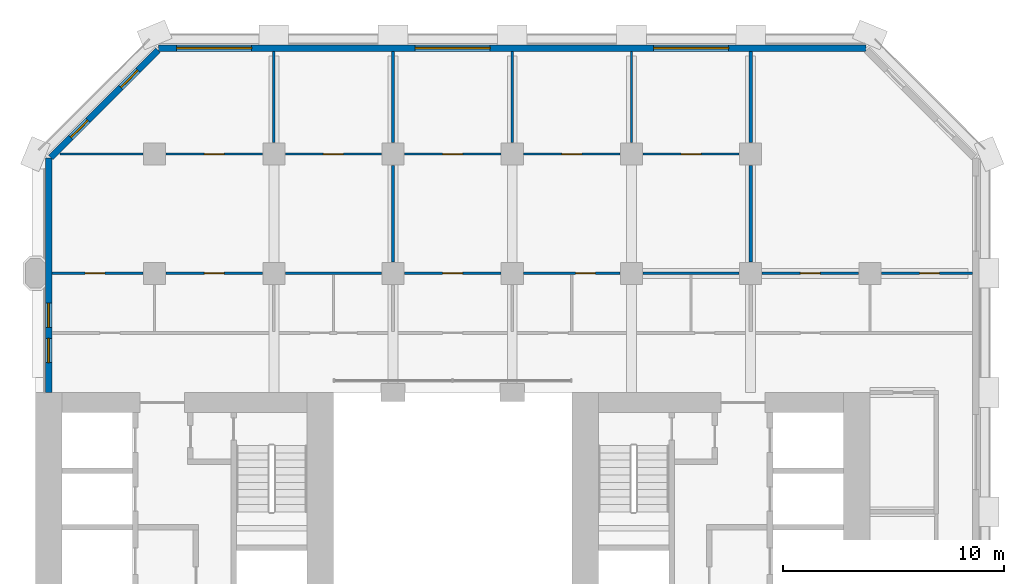
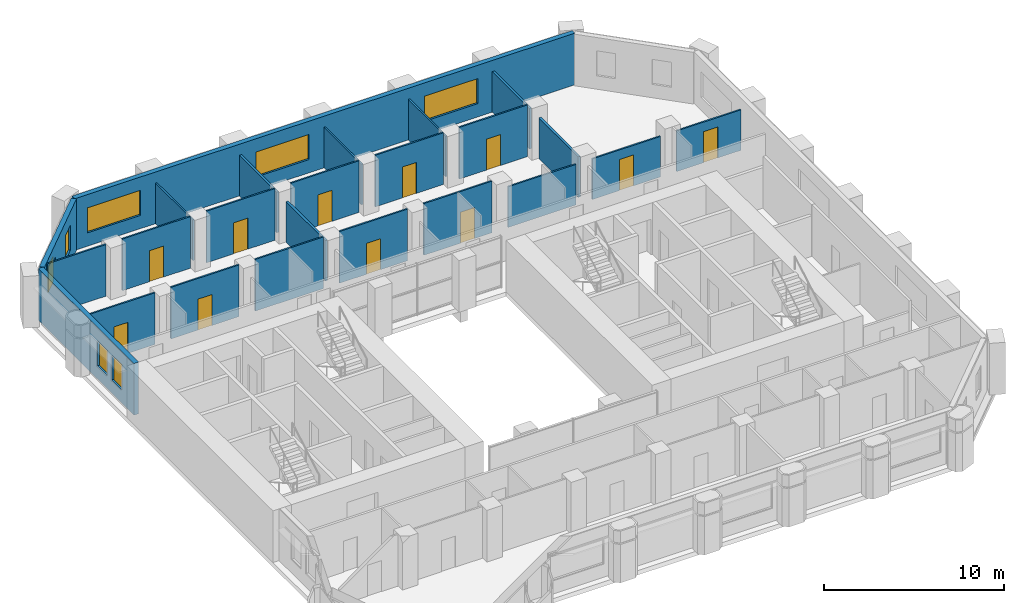
# One storey, part 7 of 11: 24 walls, 11 doors, 7 windows, 18 openings.
"""IFC4 building model written with IfcOpenShell, lengths in metres."""

from ifc_helpers import new_model, si_unit, direction, frame, frame_2d, origin, place, context, subcontext, project, spatial, rectangle, extrude, material, layer, layer_set, type_object, element, fill, save


model = new_model("IFC4")

# Units and contexts
model_context = context("Model", 3, precision=1e-05, world=origin(), true_north=direction((0.0, 1.0)))
body_context = subcontext(model_context, "Body", "Model", "MODEL_VIEW")
ifc_project = project(units=[si_unit("LENGTHUNIT", "METRE"), si_unit("AREAUNIT", "SQUARE_METRE"), si_unit("VOLUMEUNIT", "CUBIC_METRE"), si_unit("PLANEANGLEUNIT", "RADIAN"), si_unit("MASSUNIT", "GRAM", prefix="KILO")], contexts=[model_context])

# Site, building, storey
site_placement = place(None, origin())
site = spatial("IfcSite", under=ifc_project, at=site_placement, CompositionType="ELEMENT")
building_placement = place(site_placement, origin())
building = spatial("IfcBuilding", under=site, at=building_placement, Name="Tabaq Tower and Sports Hall", CompositionType="ELEMENT")
storey_placement = place(building_placement, frame((0.0, 0.0, 76.39990234375)))
storey = spatial("IfcBuildingStorey", under=building, at=storey_placement, Name="L17", CompositionType="ELEMENT", Elevation=76.39990234375)

# Wall, opening, door
ifc_material_1 = material(Name="Gypsum board on steel studs", Category="steel")
ifc_layer_1 = layer(ifc_material_1, 0.10009765625)
ifc_layer_set_1 = layer_set([ifc_layer_1], Name="Partition 100 Gypsum board")
wall_type_1 = type_object("IfcWallType", Name="Partition 100 Gypsum board", PredefinedType="PARTITIONING", material=ifc_layer_set_1)
wall_1_placement = place(storey_placement, frame((10.280029296875, 37.800048828125, 0.0), z_axis=(0.0, 0.0, 1.0), x_axis=(-1.0, 0.0, 0.0)))
wall_1 = element("IfcWall", 1, at=wall_1_placement, inside=storey, type_object=wall_type_1, Name="Partition wall L17", PredefinedType="PARTITIONING", context=body_context, shape_type="SweptSolid", body=[
    extrude(rectangle(XDim=4.129150390625, YDim=0.10009765625, at=frame_2d((2.064453125, 0.0))), origin(), (0.0, 0.0, 1.0), 3.5),
])
opening_1_placement = place(wall_1_placement, frame((1.72998046875, 0.0, 0.0)))
opening_1 = element("IfcOpeningElement", 2, at=opening_1_placement, cuts=wall_1, Name="Opening L17-029", PredefinedType="OPENING", context=body_context, shape_type="SweptSolid", body=[
    extrude(rectangle(XDim=0.89990234375, YDim=2.10009765625, at=frame_2d((0.449951171875, 1.050048828125))), frame((0.0, 0.050048828125, 0.0), z_axis=(0.0, -1.0, 0.0), x_axis=(1.0, 0.0, 0.0)), (0.0, 0.0, 1.0), 0.10009765625),
])
ifc_material_2 = material(Name="Timber leaf in steel frame", Category="steel")
door_type_1 = type_object("IfcDoorType", Name="Internal door 900 right hand", OperationType="SINGLE_SWING_RIGHT", PredefinedType="DOOR", material=ifc_material_2)
door_1_placement = place(opening_1_placement, origin())
door_1 = element("IfcDoor", 3, at=door_1_placement, inside=storey, type_object=door_type_1, Name="Internal door L17-029", OperationType="SINGLE_SWING_RIGHT", OverallHeight=2.10009765625, OverallWidth=0.89990234375, PredefinedType="DOOR", context=body_context, shape_type="SweptSolid", body=[
    extrude(rectangle(XDim=0.89990234375, YDim=2.10009765625, at=frame_2d((0.449951171875, 1.050048828125))), frame((0.0, 0.02490234375, 0.0), z_axis=(0.0, -1.0, 0.0), x_axis=(1.0, 0.0, 0.0)), (0.0, 0.0, 1.0), 0.050048828125),
])
fill(opening_1, door_1)

wall_2_placement = place(storey_placement, frame((15.679931640625, 37.800048828125, 0.0), z_axis=(0.0, 0.0, 1.0), x_axis=(-1.0, 0.0, 0.0)))
wall_2 = element("IfcWall", 4, at=wall_2_placement, inside=storey, type_object=wall_type_1, Name="Partition wall L17", PredefinedType="PARTITIONING", context=body_context, shape_type="SweptSolid", body=[
    extrude(rectangle(XDim=4.35986328125, YDim=0.10009765625, at=frame_2d((2.179931640625, 0.0))), origin(), (0.0, 0.0, 1.0), 3.5),
])
opening_2_placement = place(wall_2_placement, frame((1.72998046875, 0.0, 0.0)))
opening_2 = element("IfcOpeningElement", 5, at=opening_2_placement, cuts=wall_2, Name="Opening L17-012", PredefinedType="OPENING", context=body_context, shape_type="SweptSolid", body=[
    extrude(rectangle(XDim=0.89990234375, YDim=2.10009765625, at=frame_2d((0.449951171875, 1.050048828125))), frame((0.0, 0.050048828125, 0.0), z_axis=(0.0, -1.0, 0.0), x_axis=(1.0, 0.0, 0.0)), (0.0, 0.0, 1.0), 0.10009765625),
])
ifc_material_3 = material(Name="Timber leaf in steel frame", Category="steel")
door_type_2 = type_object("IfcDoorType", Name="Internal door 900 left hand", OperationType="SINGLE_SWING_LEFT", PredefinedType="DOOR", material=ifc_material_3)
door_2_placement = place(opening_2_placement, origin())
door_2 = element("IfcDoor", 6, at=door_2_placement, inside=storey, type_object=door_type_2, Name="Internal door L17-012", OperationType="SINGLE_SWING_LEFT", OverallHeight=2.10009765625, OverallWidth=0.89990234375, PredefinedType="DOOR", context=body_context, shape_type="SweptSolid", body=[
    extrude(rectangle(XDim=0.89990234375, YDim=2.10009765625, at=frame_2d((0.449951171875, 1.050048828125))), frame((0.0, 0.02490234375, 0.0), z_axis=(0.0, -1.0, 0.0), x_axis=(1.0, 0.0, 0.0)), (0.0, 0.0, 1.0), 0.050048828125),
])
fill(opening_2, door_2)

# Wall
wall_3_placement = place(storey_placement, frame((21.080078125, 37.800048828125, 0.0), z_axis=(0.0, 0.0, 1.0), x_axis=(-1.0, 0.0, 0.0)))
element("IfcWall", 7, at=wall_3_placement, inside=storey, type_object=wall_type_1, Name="Partition wall L17", PredefinedType="PARTITIONING", context=body_context, shape_type="SweptSolid", body=[
    extrude(rectangle(XDim=4.360107421875, YDim=0.10009765625, at=frame_2d((2.18017578125, 0.0))), origin(), (0.0, 0.0, 1.0), 3.5),
])

# Wall, opening, door
wall_4_placement = place(storey_placement, frame((21.080078125, 43.199951171875, 0.0), z_axis=(0.0, 0.0, 1.0), x_axis=(-1.0, 0.0, 0.0)))
wall_4 = element("IfcWall", 8, at=wall_4_placement, inside=storey, type_object=wall_type_1, Name="Partition wall L17", PredefinedType="PARTITIONING", context=body_context, shape_type="SweptSolid", body=[
    extrude(rectangle(XDim=4.360107421875, YDim=0.10009765625, at=frame_2d((2.18017578125, 0.0))), origin(), (0.0, 0.0, 1.0), 3.5),
])
opening_3_placement = place(wall_4_placement, frame((1.72998046875, 0.0, 0.0)))
opening_3 = element("IfcOpeningElement", 9, at=opening_3_placement, cuts=wall_4, Name="Opening L17-014", PredefinedType="OPENING", context=body_context, shape_type="SweptSolid", body=[
    extrude(rectangle(XDim=0.89990234375, YDim=2.10009765625, at=frame_2d((0.449951171875, 1.050048828125))), frame((0.0, 0.050048828125, 0.0), z_axis=(0.0, -1.0, 0.0), x_axis=(1.0, 0.0, 0.0)), (0.0, 0.0, 1.0), 0.10009765625),
])
door_3_placement = place(opening_3_placement, origin())
door_3 = element("IfcDoor", 10, at=door_3_placement, inside=storey, type_object=door_type_2, Name="Internal door L17-014", OperationType="SINGLE_SWING_LEFT", OverallHeight=2.10009765625, OverallWidth=0.89990234375, PredefinedType="DOOR", context=body_context, shape_type="SweptSolid", body=[
    extrude(rectangle(XDim=0.89990234375, YDim=2.10009765625, at=frame_2d((0.449951171875, 1.050048828125))), frame((0.0, 0.02490234375, 0.0), z_axis=(0.0, -1.0, 0.0), x_axis=(1.0, 0.0, 0.0)), (0.0, 0.0, 1.0), 0.050048828125),
])
fill(opening_3, door_3)

wall_5_placement = place(storey_placement, frame((15.679931640625, 43.199951171875, 0.0), z_axis=(0.0, 0.0, 1.0), x_axis=(-1.0, 0.0, 0.0)))
wall_5 = element("IfcWall", 11, at=wall_5_placement, inside=storey, type_object=wall_type_1, Name="Partition wall L17", PredefinedType="PARTITIONING", context=body_context, shape_type="SweptSolid", body=[
    extrude(rectangle(XDim=4.35986328125, YDim=0.10009765625, at=frame_2d((2.179931640625, 0.0))), origin(), (0.0, 0.0, 1.0), 3.5),
])
opening_4_placement = place(wall_5_placement, frame((1.72998046875, 0.0, 0.0)))
opening_4 = element("IfcOpeningElement", 12, at=opening_4_placement, cuts=wall_5, Name="Opening L17-013", PredefinedType="OPENING", context=body_context, shape_type="SweptSolid", body=[
    extrude(rectangle(XDim=0.89990234375, YDim=2.10009765625, at=frame_2d((0.449951171875, 1.050048828125))), frame((0.0, 0.050048828125, 0.0), z_axis=(0.0, -1.0, 0.0), x_axis=(1.0, 0.0, 0.0)), (0.0, 0.0, 1.0), 0.10009765625),
])
door_4_placement = place(opening_4_placement, origin())
door_4 = element("IfcDoor", 13, at=door_4_placement, inside=storey, type_object=door_type_2, Name="Internal door L17-013", OperationType="SINGLE_SWING_LEFT", OverallHeight=2.10009765625, OverallWidth=0.89990234375, PredefinedType="DOOR", context=body_context, shape_type="SweptSolid", body=[
    extrude(rectangle(XDim=0.89990234375, YDim=2.10009765625, at=frame_2d((0.449951171875, 1.050048828125))), frame((0.0, 0.02490234375, 0.0), z_axis=(0.0, -1.0, 0.0), x_axis=(1.0, 0.0, 0.0)), (0.0, 0.0, 1.0), 0.050048828125),
])
fill(opening_4, door_4)

# Walls
wall_6_placement = place(storey_placement, frame((10.280029296875, 43.199951171875, 0.0), z_axis=(0.0, 0.0, 1.0), x_axis=(-1.0, 0.0, 0.0)))
element("IfcWall", 14, at=wall_6_placement, inside=storey, type_object=wall_type_1, Name="Partition wall L17", PredefinedType="PARTITIONING", context=body_context, shape_type="SweptSolid", body=[
    extrude(rectangle(XDim=3.767822265625, YDim=0.10009765625, at=frame_2d((1.8837890625, 0.0))), origin(), (0.0, 0.0, 1.0), 3.5),
])
wall_7_placement = place(storey_placement, frame((16.199951171875, 43.719970703125, 0.0), z_axis=(0.0, 0.0, 1.0), x_axis=(0.0, 1.0, 0.0)))
element("IfcWall", 15, at=wall_7_placement, inside=storey, type_object=wall_type_1, Name="Partition wall L17", PredefinedType="PARTITIONING", context=body_context, shape_type="SweptSolid", body=[
    extrude(rectangle(XDim=4.129150390625, YDim=0.10009765625, at=frame_2d((2.064453125, 0.0))), origin(), (0.0, 0.0, 1.0), 2.75),
])

# Wall, opening, door
wall_8_placement = place(storey_placement, frame((26.47998046875, 37.800048828125, 0.0), z_axis=(0.0, 0.0, 1.0), x_axis=(-1.0, 0.0, 0.0)))
wall_8 = element("IfcWall", 16, at=wall_8_placement, inside=storey, type_object=wall_type_1, Name="Partition wall L17", PredefinedType="PARTITIONING", context=body_context, shape_type="SweptSolid", body=[
    extrude(rectangle(XDim=4.35986328125, YDim=0.10009765625, at=frame_2d((2.179931640625, 0.0))), origin(), (0.0, 0.0, 1.0), 3.5),
])
opening_5_placement = place(wall_8_placement, frame((1.72998046875, 0.0, 0.0)))
opening_5 = element("IfcOpeningElement", 17, at=opening_5_placement, cuts=wall_8, Name="Opening L17-030", PredefinedType="OPENING", context=body_context, shape_type="SweptSolid", body=[
    extrude(rectangle(XDim=0.89990234375, YDim=2.10009765625, at=frame_2d((0.449951171875, 1.050048828125))), frame((0.0, 0.050048828125, 0.0), z_axis=(0.0, -1.0, 0.0), x_axis=(1.0, 0.0, 0.0)), (0.0, 0.0, 1.0), 0.10009765625),
])
door_5_placement = place(opening_5_placement, origin())
door_5 = element("IfcDoor", 18, at=door_5_placement, inside=storey, type_object=door_type_2, Name="Internal door L17-030", OperationType="SINGLE_SWING_LEFT", OverallHeight=2.10009765625, OverallWidth=0.89990234375, PredefinedType="DOOR", context=body_context, shape_type="SweptSolid", body=[
    extrude(rectangle(XDim=0.89990234375, YDim=2.10009765625, at=frame_2d((0.449951171875, 1.050048828125))), frame((0.0, 0.02490234375, 0.0), z_axis=(0.0, -1.0, 0.0), x_axis=(1.0, 0.0, 0.0)), (0.0, 0.0, 1.0), 0.050048828125),
])
fill(opening_5, door_5)

wall_9_placement = place(storey_placement, frame((31.8798828125, 37.800048828125, 0.0), z_axis=(0.0, 0.0, 1.0), x_axis=(-1.0, 0.0, 0.0)))
wall_9 = element("IfcWall", 19, at=wall_9_placement, inside=storey, type_object=wall_type_1, Name="Partition wall L17", PredefinedType="PARTITIONING", context=body_context, shape_type="SweptSolid", body=[
    extrude(rectangle(XDim=4.35986328125, YDim=0.10009765625, at=frame_2d((2.179931640625, 0.0))), origin(), (0.0, 0.0, 1.0), 3.5),
])
opening_6_placement = place(wall_9_placement, frame((1.110107421875, 0.0, 0.0)))
opening_6 = element("IfcOpeningElement", 20, at=opening_6_placement, cuts=wall_9, Name="Opening L17-015", PredefinedType="OPENING", context=body_context, shape_type="SweptSolid", body=[
    extrude(rectangle(XDim=0.89990234375, YDim=2.10009765625, at=frame_2d((0.449951171875, 1.050048828125))), frame((0.0, 0.050048828125, 0.0), z_axis=(0.0, -1.0, 0.0), x_axis=(1.0, 0.0, 0.0)), (0.0, 0.0, 1.0), 0.10009765625),
])
door_6_placement = place(opening_6_placement, origin())
door_6 = element("IfcDoor", 21, at=door_6_placement, inside=storey, type_object=door_type_1, Name="Internal door L17-015", OperationType="SINGLE_SWING_RIGHT", OverallHeight=2.10009765625, OverallWidth=0.89990234375, PredefinedType="DOOR", context=body_context, shape_type="SweptSolid", body=[
    extrude(rectangle(XDim=0.89990234375, YDim=2.10009765625, at=frame_2d((0.449951171875, 1.050048828125))), frame((0.0, 0.02490234375, 0.0), z_axis=(0.0, -1.0, 0.0), x_axis=(1.0, 0.0, 0.0)), (0.0, 0.0, 1.0), 0.050048828125),
])
fill(opening_6, door_6)

# Wall
wall_10_placement = place(storey_placement, frame((37.280029296875, 37.800048828125, 0.0), z_axis=(0.0, 0.0, 1.0), x_axis=(-1.0, 0.0, 0.0)))
element("IfcWall", 22, at=wall_10_placement, inside=storey, type_object=wall_type_1, Name="Partition wall L17", PredefinedType="PARTITIONING", context=body_context, shape_type="SweptSolid", body=[
    extrude(rectangle(XDim=4.360107421875, YDim=0.10009765625, at=frame_2d((2.18017578125, 0.0))), origin(), (0.0, 0.0, 1.0), 2.75),
])

# Wall, opening, door
wall_11_placement = place(storey_placement, frame((37.280029296875, 43.199951171875, 0.0), z_axis=(0.0, 0.0, 1.0), x_axis=(-1.0, 0.0, 0.0)))
wall_11 = element("IfcWall", 23, at=wall_11_placement, inside=storey, type_object=wall_type_1, Name="Partition wall L17", PredefinedType="PARTITIONING", context=body_context, shape_type="SweptSolid", body=[
    extrude(rectangle(XDim=4.360107421875, YDim=0.10009765625, at=frame_2d((2.18017578125, 0.0))), origin(), (0.0, 0.0, 1.0), 3.5),
])
opening_7_placement = place(wall_11_placement, frame((1.72998046875, 0.0, 0.0)))
opening_7 = element("IfcOpeningElement", 24, at=opening_7_placement, cuts=wall_11, Name="Opening L17-018", PredefinedType="OPENING", context=body_context, shape_type="SweptSolid", body=[
    extrude(rectangle(XDim=0.89990234375, YDim=2.10009765625, at=frame_2d((0.449951171875, 1.050048828125))), frame((0.0, 0.050048828125, 0.0), z_axis=(0.0, -1.0, 0.0), x_axis=(1.0, 0.0, 0.0)), (0.0, 0.0, 1.0), 0.10009765625),
])
door_7_placement = place(opening_7_placement, origin())
door_7 = element("IfcDoor", 25, at=door_7_placement, inside=storey, type_object=door_type_1, Name="Internal door L17-018", OperationType="SINGLE_SWING_RIGHT", OverallHeight=2.10009765625, OverallWidth=0.89990234375, PredefinedType="DOOR", context=body_context, shape_type="SweptSolid", body=[
    extrude(rectangle(XDim=0.89990234375, YDim=2.10009765625, at=frame_2d((0.449951171875, 1.050048828125))), frame((0.0, 0.02490234375, 0.0), z_axis=(0.0, -1.0, 0.0), x_axis=(1.0, 0.0, 0.0)), (0.0, 0.0, 1.0), 0.050048828125),
])
fill(opening_7, door_7)

wall_12_placement = place(storey_placement, frame((31.8798828125, 43.199951171875, 0.0), z_axis=(0.0, 0.0, 1.0), x_axis=(-1.0, 0.0, 0.0)))
wall_12 = element("IfcWall", 26, at=wall_12_placement, inside=storey, type_object=wall_type_1, Name="Partition wall L17", PredefinedType="PARTITIONING", context=body_context, shape_type="SweptSolid", body=[
    extrude(rectangle(XDim=4.35986328125, YDim=0.10009765625, at=frame_2d((2.179931640625, 0.0))), origin(), (0.0, 0.0, 1.0), 3.5),
])
opening_8_placement = place(wall_12_placement, frame((1.72998046875, 0.0, 0.0)))
opening_8 = element("IfcOpeningElement", 27, at=opening_8_placement, cuts=wall_12, Name="Opening L17-017", PredefinedType="OPENING", context=body_context, shape_type="SweptSolid", body=[
    extrude(rectangle(XDim=0.89990234375, YDim=2.10009765625, at=frame_2d((0.449951171875, 1.050048828125))), frame((0.0, 0.050048828125, 0.0), z_axis=(0.0, -1.0, 0.0), x_axis=(1.0, 0.0, 0.0)), (0.0, 0.0, 1.0), 0.10009765625),
])
door_8_placement = place(opening_8_placement, origin())
door_8 = element("IfcDoor", 28, at=door_8_placement, inside=storey, type_object=door_type_1, Name="Internal door L17-017", OperationType="SINGLE_SWING_RIGHT", OverallHeight=2.10009765625, OverallWidth=0.89990234375, PredefinedType="DOOR", context=body_context, shape_type="SweptSolid", body=[
    extrude(rectangle(XDim=0.89990234375, YDim=2.10009765625, at=frame_2d((0.449951171875, 1.050048828125))), frame((0.0, 0.02490234375, 0.0), z_axis=(0.0, -1.0, 0.0), x_axis=(1.0, 0.0, 0.0)), (0.0, 0.0, 1.0), 0.050048828125),
])
fill(opening_8, door_8)

wall_13_placement = place(storey_placement, frame((26.47998046875, 43.199951171875, 0.0), z_axis=(0.0, 0.0, 1.0), x_axis=(-1.0, 0.0, 0.0)))
wall_13 = element("IfcWall", 29, at=wall_13_placement, inside=storey, type_object=wall_type_1, Name="Partition wall L17", PredefinedType="PARTITIONING", context=body_context, shape_type="SweptSolid", body=[
    extrude(rectangle(XDim=4.35986328125, YDim=0.10009765625, at=frame_2d((2.179931640625, 0.0))), origin(), (0.0, 0.0, 1.0), 3.5),
])
opening_9_placement = place(wall_13_placement, frame((1.72998046875, 0.0, 0.0)))
opening_9 = element("IfcOpeningElement", 30, at=opening_9_placement, cuts=wall_13, Name="Opening L17-016", PredefinedType="OPENING", context=body_context, shape_type="SweptSolid", body=[
    extrude(rectangle(XDim=0.89990234375, YDim=2.10009765625, at=frame_2d((0.449951171875, 1.050048828125))), frame((0.0, 0.050048828125, 0.0), z_axis=(0.0, -1.0, 0.0), x_axis=(1.0, 0.0, 0.0)), (0.0, 0.0, 1.0), 0.10009765625),
])
door_9_placement = place(opening_9_placement, origin())
door_9 = element("IfcDoor", 31, at=door_9_placement, inside=storey, type_object=door_type_1, Name="Internal door L17-016", OperationType="SINGLE_SWING_RIGHT", OverallHeight=2.10009765625, OverallWidth=0.89990234375, PredefinedType="DOOR", context=body_context, shape_type="SweptSolid", body=[
    extrude(rectangle(XDim=0.89990234375, YDim=2.10009765625, at=frame_2d((0.449951171875, 1.050048828125))), frame((0.0, 0.02490234375, 0.0), z_axis=(0.0, -1.0, 0.0), x_axis=(1.0, 0.0, 0.0)), (0.0, 0.0, 1.0), 0.050048828125),
])
fill(opening_9, door_9)

# Walls
for number, where, z_axis, x_axis, name in (
    (32, (27.0, 43.719970703125, 0.0), (0.0, 0.0, 1.0), (0.0, 1.0, 0.0), "Partition wall L17"),
    (33, (32.39990234375, 43.719970703125, 0.0), (0.0, 0.0, 1.0), (0.0, 1.0, 0.0), "Partition wall L17"),
):
    element("IfcWall", number, at=place(storey_placement, frame(where, z_axis=z_axis, x_axis=x_axis)), inside=storey, type_object=wall_type_1, Name=name, PredefinedType="PARTITIONING", context=body_context, shape_type="SweptSolid", body=[
        extrude(rectangle(XDim=4.129150390625, YDim=0.10009765625, at=frame_2d((2.064453125, 0.0))), origin(), (0.0, 0.0, 1.0), 2.75),
    ])

# Wall, opening, door
wall_14_placement = place(storey_placement, frame((42.679931640625, 37.800048828125, 0.0), z_axis=(0.0, 0.0, 1.0), x_axis=(-1.0, 0.0, 0.0)))
wall_14 = element("IfcWall", 34, at=wall_14_placement, inside=storey, type_object=wall_type_1, Name="Partition wall L17", PredefinedType="PARTITIONING", context=body_context, shape_type="SweptSolid", body=[
    extrude(rectangle(XDim=4.35986328125, YDim=0.10009765625, at=frame_2d((2.179931640625, 0.0))), origin(), (0.0, 0.0, 1.0), 2.75),
])
opening_10_placement = place(wall_14_placement, frame((1.72998046875, 0.0, 0.0)))
opening_10 = element("IfcOpeningElement", 35, at=opening_10_placement, cuts=wall_14, Name="Opening L17-031", PredefinedType="OPENING", context=body_context, shape_type="SweptSolid", body=[
    extrude(rectangle(XDim=0.89990234375, YDim=2.10009765625, at=frame_2d((0.449951171875, 1.050048828125))), frame((0.0, 0.050048828125, 0.0), z_axis=(0.0, -1.0, 0.0), x_axis=(1.0, 0.0, 0.0)), (0.0, 0.0, 1.0), 0.10009765625),
])
door_10_placement = place(opening_10_placement, origin())
door_10 = element("IfcDoor", 36, at=door_10_placement, inside=storey, type_object=door_type_1, Name="Internal door L17-031", OperationType="SINGLE_SWING_RIGHT", OverallHeight=2.10009765625, OverallWidth=0.89990234375, PredefinedType="DOOR", context=body_context, shape_type="SweptSolid", body=[
    extrude(rectangle(XDim=0.89990234375, YDim=2.10009765625, at=frame_2d((0.449951171875, 1.050048828125))), frame((0.0, 0.02490234375, 0.0), z_axis=(0.0, -1.0, 0.0), x_axis=(1.0, 0.0, 0.0)), (0.0, 0.0, 1.0), 0.050048828125),
])
fill(opening_10, door_10)

wall_15_placement = place(storey_placement, frame((47.84912109375, 37.800048828125, 0.0), z_axis=(0.0, 0.0, 1.0), x_axis=(-1.0, 0.0, 0.0)))
wall_15 = element("IfcWall", 37, at=wall_15_placement, inside=storey, type_object=wall_type_1, Name="Partition wall L17", PredefinedType="PARTITIONING", context=body_context, shape_type="SweptSolid", body=[
    extrude(rectangle(XDim=4.129150390625, YDim=0.10009765625, at=frame_2d((2.064453125, 0.0))), origin(), (0.0, 0.0, 1.0), 2.75),
])
opening_11_placement = place(wall_15_placement, frame((1.4990234375, 0.0, 0.0)))
opening_11 = element("IfcOpeningElement", 38, at=opening_11_placement, cuts=wall_15, Name="Opening L17-019", PredefinedType="OPENING", context=body_context, shape_type="SweptSolid", body=[
    extrude(rectangle(XDim=0.89990234375, YDim=2.10009765625, at=frame_2d((0.449951171875, 1.050048828125))), frame((0.0, 0.050048828125, 0.0), z_axis=(0.0, -1.0, 0.0), x_axis=(1.0, 0.0, 0.0)), (0.0, 0.0, 1.0), 0.10009765625),
])
door_11_placement = place(opening_11_placement, origin())
door_11 = element("IfcDoor", 39, at=door_11_placement, inside=storey, type_object=door_type_2, Name="Internal door L17-019", OperationType="SINGLE_SWING_LEFT", OverallHeight=2.10009765625, OverallWidth=0.89990234375, PredefinedType="DOOR", context=body_context, shape_type="SweptSolid", body=[
    extrude(rectangle(XDim=0.89990234375, YDim=2.10009765625, at=frame_2d((0.449951171875, 1.050048828125))), frame((0.0, 0.02490234375, 0.0), z_axis=(0.0, -1.0, 0.0), x_axis=(1.0, 0.0, 0.0)), (0.0, 0.0, 1.0), 0.050048828125),
])
fill(opening_11, door_11)

# Walls
ifc_material_4 = material(Name="Blockwork", Category="masonry")
ifc_layer_2 = layer(ifc_material_4, 0.14990234375)
ifc_layer_set_2 = layer_set([ifc_layer_2], Name="Separating wall 150 Blockwork")
wall_type_2 = type_object("IfcWallType", Name="Separating wall 150 Blockwork", PredefinedType="PARTITIONING", material=ifc_layer_set_2)
wall_16_placement = place(storey_placement, frame((21.60009765625, 38.320068359375, 0.0), z_axis=(0.0, 0.0, 1.0), x_axis=(0.0, 1.0, 0.0)))
element("IfcWall", 40, at=wall_16_placement, inside=storey, type_object=wall_type_2, Name="Separating wall L17", PredefinedType="PARTITIONING", context=body_context, shape_type="SweptSolid", body=[
    extrude(rectangle(XDim=4.35986328125, YDim=0.14990234375, at=frame_2d((2.179931640625, 0.0))), origin(), (0.0, 0.0, 1.0), 2.75),
])
wall_17_placement = place(storey_placement, frame((21.60009765625, 43.719970703125, 0.0), z_axis=(0.0, 0.0, 1.0), x_axis=(0.0, 1.0, 0.0)))
element("IfcWall", 41, at=wall_17_placement, inside=storey, type_object=wall_type_2, Name="Separating wall L17", PredefinedType="PARTITIONING", context=body_context, shape_type="SweptSolid", body=[
    extrude(rectangle(XDim=4.129150390625, YDim=0.14990234375, at=frame_2d((2.064453125, 0.0))), origin(), (0.0, 0.0, 1.0), 2.75),
])
wall_18_placement = place(storey_placement, frame((37.800048828125, 38.320068359375, 0.0), z_axis=(0.0, 0.0, 1.0), x_axis=(0.0, 1.0, 0.0)))
element("IfcWall", 42, at=wall_18_placement, inside=storey, type_object=wall_type_2, Name="Separating wall L17", PredefinedType="PARTITIONING", context=body_context, shape_type="SweptSolid", body=[
    extrude(rectangle(XDim=4.35986328125, YDim=0.14990234375, at=frame_2d((2.179931640625, 0.0))), origin(), (0.0, 0.0, 1.0), 2.75),
])
wall_19_placement = place(storey_placement, frame((37.800048828125, 43.719970703125, 0.0), z_axis=(0.0, 0.0, 1.0), x_axis=(0.0, 1.0, 0.0)))
element("IfcWall", 43, at=wall_19_placement, inside=storey, type_object=wall_type_2, Name="Separating wall L17", PredefinedType="PARTITIONING", context=body_context, shape_type="SweptSolid", body=[
    extrude(rectangle(XDim=4.129150390625, YDim=0.14990234375, at=frame_2d((2.064453125, 0.0))), origin(), (0.0, 0.0, 1.0), 2.75),
])

# Wall, openings, windows
ifc_material_5 = material(Name="White precast concrete C60/75", Category="concrete")
ifc_layer_3 = layer(ifc_material_5, 0.300048828125)
ifc_layer_set_3 = layer_set([ifc_layer_3], Name="White precast concrete C60/75 external wall 300")
wall_type_3 = type_object("IfcWallType", Name="White precast concrete C60/75 external wall 300", PredefinedType="SOLIDWALL", material=ifc_layer_set_3)
wall_20_placement = place(storey_placement, frame((43.013671875, 48.0, 0.0), z_axis=(0.0, 0.0, 1.0), x_axis=(-1.0, 0.0, 0.0)))
wall_20 = element("IfcWall", 44, at=wall_20_placement, inside=storey, type_object=wall_type_3, Name="External Wall L17 N", PredefinedType="SOLIDWALL", context=body_context, shape_type="SweptSolid", body=[
    extrude(rectangle(XDim=32.02734375, YDim=0.300048828125, at=frame_2d((16.013671875, 0.0))), origin(), (0.0, 0.0, 1.0), 3.5),
])
opening_12_placement = place(wall_20_placement, frame((6.213623046875, 0.0, 0.89990234375)))
opening_12 = element("IfcOpeningElement", 45, at=opening_12_placement, cuts=wall_20, Name="Opening W1A", PredefinedType="OPENING", context=body_context, shape_type="SweptSolid", body=[
    extrude(rectangle(XDim=3.39990234375, YDim=1.699951171875, at=frame_2d((1.699951171875, 0.85009765625))), frame((0.0, 0.16015625, 0.0), z_axis=(0.0, -1.0, 0.0), x_axis=(1.0, 0.0, 0.0)), (0.0, 0.0, 1.0), 0.320068359375),
])
opening_13_placement = place(wall_20_placement, frame((17.013671875, 0.0, 0.89990234375)))
opening_13 = element("IfcOpeningElement", 46, at=opening_13_placement, cuts=wall_20, Name="Opening W1A", PredefinedType="OPENING", context=body_context, shape_type="SweptSolid", body=[
    extrude(rectangle(XDim=3.39990234375, YDim=1.699951171875, at=frame_2d((1.699951171875, 0.85009765625))), frame((0.0, 0.16015625, 0.0), z_axis=(0.0, -1.0, 0.0), x_axis=(1.0, 0.0, 0.0)), (0.0, 0.0, 1.0), 0.320068359375),
])
opening_14_placement = place(wall_20_placement, frame((27.813720703125, 0.0, 0.89990234375)))
opening_14 = element("IfcOpeningElement", 47, at=opening_14_placement, cuts=wall_20, Name="Opening W1A", PredefinedType="OPENING", context=body_context, shape_type="SweptSolid", body=[
    extrude(rectangle(XDim=3.39990234375, YDim=1.699951171875, at=frame_2d((1.699951171875, 0.85009765625))), frame((0.0, 0.16015625, 0.0), z_axis=(0.0, -1.0, 0.0), x_axis=(1.0, 0.0, 0.0)), (0.0, 0.0, 1.0), 0.320068359375),
])
ifc_material_6 = material(Name="Aluminium framed clear glazing", Category="aluminium")
window_type_1 = type_object("IfcWindowType", Name="Window W1A", PartitioningType="SINGLE_PANEL", PredefinedType="WINDOW", material=ifc_material_6)
window_1_placement = place(opening_12_placement, origin())
window_1 = element("IfcWindow", 48, at=window_1_placement, inside=storey, type_object=window_type_1, Name="Window W1A L17", OverallHeight=1.699951171875, OverallWidth=3.39990234375, PartitioningType="SINGLE_PANEL", PredefinedType="WINDOW", context=body_context, shape_type="SweptSolid", body=[
    extrude(rectangle(XDim=3.39990234375, YDim=1.699951171875, at=frame_2d((1.699951171875, 0.85009765625))), frame((0.0, 0.030029296875, 0.0), z_axis=(0.0, -1.0, 0.0), x_axis=(1.0, 0.0, 0.0)), (0.0, 0.0, 1.0), 0.06005859375),
])
fill(opening_12, window_1)
window_2_placement = place(opening_13_placement, origin())
window_2 = element("IfcWindow", 49, at=window_2_placement, inside=storey, type_object=window_type_1, Name="Window W1A L17", OverallHeight=1.699951171875, OverallWidth=3.39990234375, PartitioningType="SINGLE_PANEL", PredefinedType="WINDOW", context=body_context, shape_type="SweptSolid", body=[
    extrude(rectangle(XDim=3.39990234375, YDim=1.699951171875, at=frame_2d((1.699951171875, 0.85009765625))), frame((0.0, 0.030029296875, 0.0), z_axis=(0.0, -1.0, 0.0), x_axis=(1.0, 0.0, 0.0)), (0.0, 0.0, 1.0), 0.06005859375),
])
fill(opening_13, window_2)
window_3_placement = place(opening_14_placement, origin())
window_3 = element("IfcWindow", 50, at=window_3_placement, inside=storey, type_object=window_type_1, Name="Window W1A L17", OverallHeight=1.699951171875, OverallWidth=3.39990234375, PartitioningType="SINGLE_PANEL", PredefinedType="WINDOW", context=body_context, shape_type="SweptSolid", body=[
    extrude(rectangle(XDim=3.39990234375, YDim=1.699951171875, at=frame_2d((1.699951171875, 0.85009765625))), frame((0.0, 0.030029296875, 0.0), z_axis=(0.0, -1.0, 0.0), x_axis=(1.0, 0.0, 0.0)), (0.0, 0.0, 1.0), 0.06005859375),
])
fill(opening_14, window_3)

wall_21_placement = place(storey_placement, frame((10.949462890625, 47.901123046875, 0.0), z_axis=(0.0, 0.0, 1.0), x_axis=(-0.707106781187, -0.707106781187, 0.0)))
wall_21 = element("IfcWall", 51, at=wall_21_placement, inside=storey, type_object=wall_type_3, Name="External Wall L17 NW", PredefinedType="SOLIDWALL", context=body_context, shape_type="SweptSolid", body=[
    extrude(rectangle(XDim=6.85986328125, YDim=0.300048828125, at=frame_2d((3.429931640625, 0.0))), origin(), (0.0, 0.0, 1.0), 3.5),
])
opening_15_placement = place(wall_21_placement, frame((1.27978515625, 0.0, 0.89990234375)))
opening_15 = element("IfcOpeningElement", 52, at=opening_15_placement, cuts=wall_21, Name="Opening W1B", PredefinedType="OPENING", context=body_context, shape_type="SweptSolid", body=[
    extrude(rectangle(XDim=1.10009765625, YDim=1.699951171875, at=frame_2d((0.550048828125, 0.85009765625))), frame((0.0, 0.16015625, 0.0), z_axis=(0.0, -1.0, 0.0), x_axis=(1.0, 0.0, 0.0)), (0.0, 0.0, 1.0), 0.320068359375),
])
opening_16_placement = place(wall_21_placement, frame((4.479736328125, 0.0, 0.89990234375)))
opening_16 = element("IfcOpeningElement", 53, at=opening_16_placement, cuts=wall_21, Name="Opening W1B", PredefinedType="OPENING", context=body_context, shape_type="SweptSolid", body=[
    extrude(rectangle(XDim=1.10009765625, YDim=1.699951171875, at=frame_2d((0.550048828125, 0.85009765625))), frame((0.0, 0.16015625, 0.0), z_axis=(0.0, -1.0, 0.0), x_axis=(1.0, 0.0, 0.0)), (0.0, 0.0, 1.0), 0.320068359375),
])
ifc_material_7 = material(Name="Aluminium framed clear glazing", Category="aluminium")
window_type_2 = type_object("IfcWindowType", Name="Window W1B", PartitioningType="SINGLE_PANEL", PredefinedType="WINDOW", material=ifc_material_7)
window_4_placement = place(opening_15_placement, origin())
window_4 = element("IfcWindow", 54, at=window_4_placement, inside=storey, type_object=window_type_2, Name="Window W1B L17", OverallHeight=1.699951171875, OverallWidth=1.10009765625, PartitioningType="SINGLE_PANEL", PredefinedType="WINDOW", context=body_context, shape_type="SweptSolid", body=[
    extrude(rectangle(XDim=1.10009765625, YDim=1.699951171875, at=frame_2d((0.550048828125, 0.85009765625))), frame((0.0, 0.030029296875, 0.0), z_axis=(0.0, -1.0, 0.0), x_axis=(1.0, 0.0, 0.0)), (0.0, 0.0, 1.0), 0.06005859375),
])
fill(opening_15, window_4)
window_5_placement = place(opening_16_placement, origin())
window_5 = element("IfcWindow", 55, at=window_5_placement, inside=storey, type_object=window_type_2, Name="Window W1B L17", OverallHeight=1.699951171875, OverallWidth=1.10009765625, PartitioningType="SINGLE_PANEL", PredefinedType="WINDOW", context=body_context, shape_type="SweptSolid", body=[
    extrude(rectangle(XDim=1.10009765625, YDim=1.699951171875, at=frame_2d((0.550048828125, 0.85009765625))), frame((0.0, 0.030029296875, 0.0), z_axis=(0.0, -1.0, 0.0), x_axis=(1.0, 0.0, 0.0)), (0.0, 0.0, 1.0), 0.06005859375),
])
fill(opening_16, window_5)

wall_22_placement = place(storey_placement, frame((6.0, 43.013671875, 0.0), z_axis=(0.0, 0.0, 1.0), x_axis=(0.0, -1.0, 0.0)))
wall_22 = element("IfcWall", 56, at=wall_22_placement, inside=storey, type_object=wall_type_3, Name="External Wall L17 W", PredefinedType="SOLIDWALL", context=body_context, shape_type="SweptSolid", body=[
    extrude(rectangle(XDim=10.61376953125, YDim=0.300048828125, at=frame_2d((5.306884765625, 0.0))), origin(), (0.0, 0.0, 1.0), 3.5),
])
opening_17_placement = place(wall_22_placement, frame((6.563720703125, 0.0, 0.89990234375)))
opening_17 = element("IfcOpeningElement", 57, at=opening_17_placement, cuts=wall_22, Name="Opening W1B", PredefinedType="OPENING", context=body_context, shape_type="SweptSolid", body=[
    extrude(rectangle(XDim=1.10009765625, YDim=1.699951171875, at=frame_2d((0.550048828125, 0.85009765625))), frame((0.0, 0.16015625, 0.0), z_axis=(0.0, -1.0, 0.0), x_axis=(1.0, 0.0, 0.0)), (0.0, 0.0, 1.0), 0.320068359375),
])
opening_18_placement = place(wall_22_placement, frame((8.16357421875, 0.0, 0.89990234375)))
opening_18 = element("IfcOpeningElement", 58, at=opening_18_placement, cuts=wall_22, Name="Opening W1B", PredefinedType="OPENING", context=body_context, shape_type="SweptSolid", body=[
    extrude(rectangle(XDim=1.10009765625, YDim=1.699951171875, at=frame_2d((0.550048828125, 0.85009765625))), frame((0.0, 0.16015625, 0.0), z_axis=(0.0, -1.0, 0.0), x_axis=(1.0, 0.0, 0.0)), (0.0, 0.0, 1.0), 0.320068359375),
])
window_6_placement = place(opening_17_placement, origin())
window_6 = element("IfcWindow", 59, at=window_6_placement, inside=storey, type_object=window_type_2, Name="Window W1B L17", OverallHeight=1.699951171875, OverallWidth=1.10009765625, PartitioningType="SINGLE_PANEL", PredefinedType="WINDOW", context=body_context, shape_type="SweptSolid", body=[
    extrude(rectangle(XDim=1.10009765625, YDim=1.699951171875, at=frame_2d((0.550048828125, 0.85009765625))), frame((0.0, 0.030029296875, 0.0), z_axis=(0.0, -1.0, 0.0), x_axis=(1.0, 0.0, 0.0)), (0.0, 0.0, 1.0), 0.06005859375),
])
fill(opening_17, window_6)
window_7_placement = place(opening_18_placement, origin())
window_7 = element("IfcWindow", 60, at=window_7_placement, inside=storey, type_object=window_type_2, Name="Window W1B L17", OverallHeight=1.699951171875, OverallWidth=1.10009765625, PartitioningType="SINGLE_PANEL", PredefinedType="WINDOW", context=body_context, shape_type="SweptSolid", body=[
    extrude(rectangle(XDim=1.10009765625, YDim=1.699951171875, at=frame_2d((0.550048828125, 0.85009765625))), frame((0.0, 0.030029296875, 0.0), z_axis=(0.0, -1.0, 0.0), x_axis=(1.0, 0.0, 0.0)), (0.0, 0.0, 1.0), 0.06005859375),
])
fill(opening_18, window_7)

save(model, "model.ifc")
